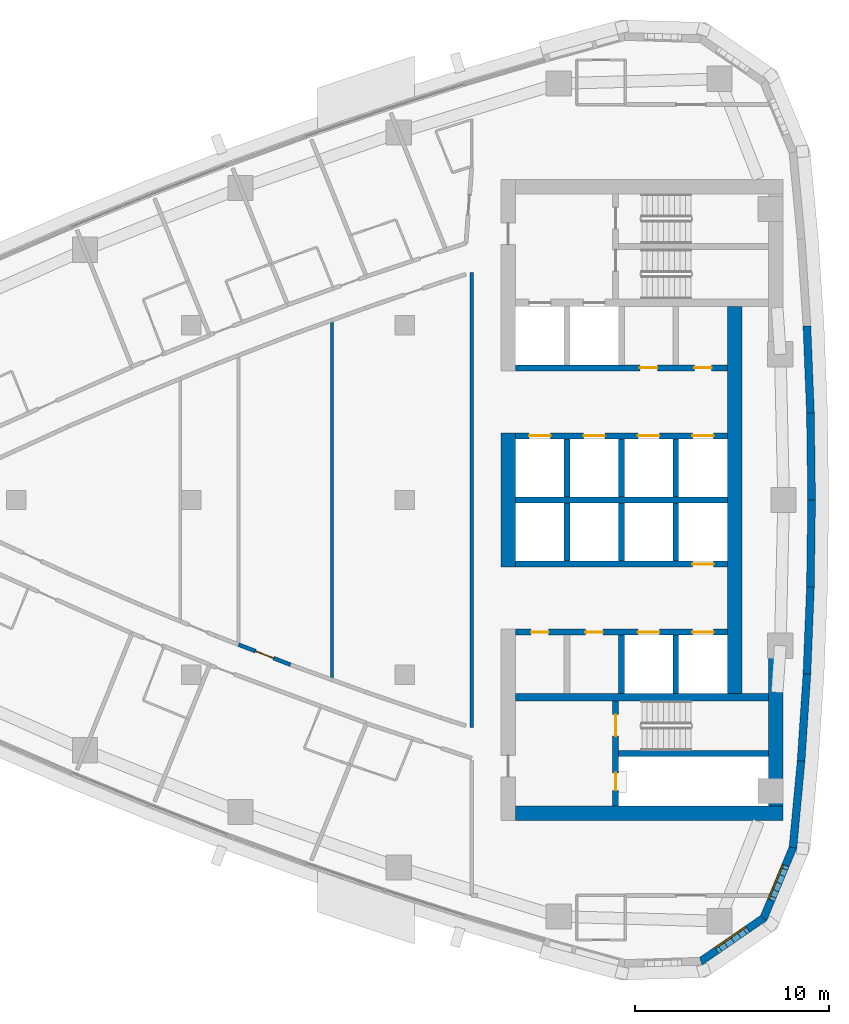
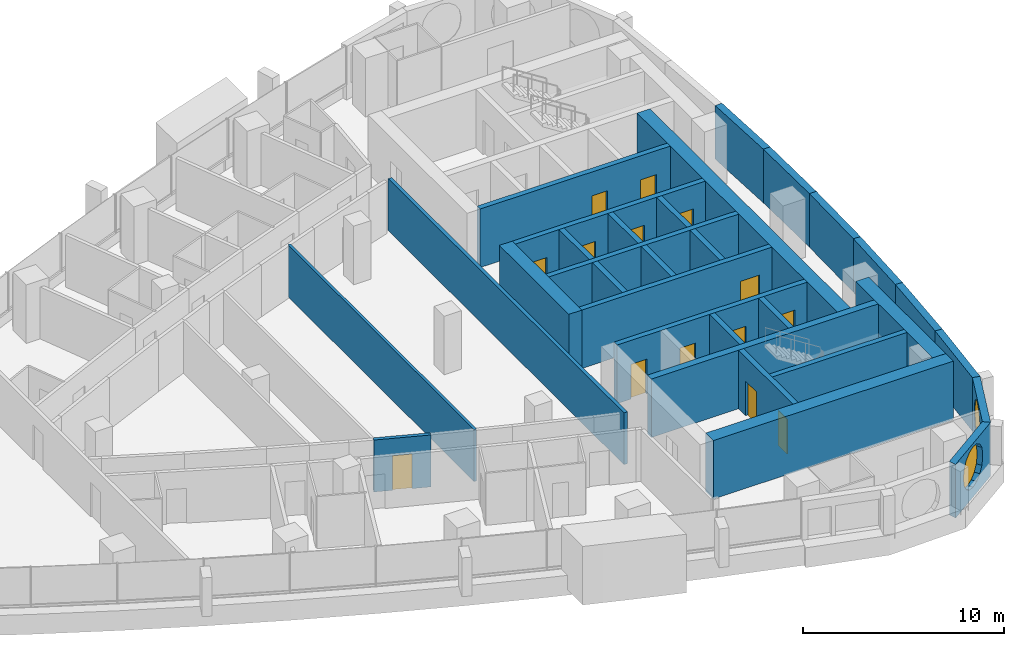
# One storey, part 11 of 17: 31 walls, 14 doors, 2 windows, 16 openings.
"""IFC4 building model written with IfcOpenShell, lengths in metres."""

from ifc_helpers import new_model, si_unit, direction, frame, frame_2d, origin, place, context, subcontext, project, spatial, polyline, rectangle, outline, extrude, material, layer, layer_set, type_object, element, fill, save


model = new_model("IFC4")

# Units and contexts
model_context = context("Model", 3, precision=1e-05, world=origin(), true_north=direction((0.0, 1.0)))
body_context = subcontext(model_context, "Body", "Model", "MODEL_VIEW")
ifc_project = project(units=[si_unit("LENGTHUNIT", "METRE"), si_unit("AREAUNIT", "SQUARE_METRE"), si_unit("VOLUMEUNIT", "CUBIC_METRE"), si_unit("PLANEANGLEUNIT", "RADIAN"), si_unit("MASSUNIT", "GRAM", prefix="KILO")], contexts=[model_context])

# Site, building, storey
site_placement = place(None, origin())
site = spatial("IfcSite", under=ifc_project, at=site_placement, CompositionType="ELEMENT")
building_placement = place(site_placement, origin())
building = spatial("IfcBuilding", under=site, at=building_placement, Name="Ostrand Prow Hotel Tower", CompositionType="ELEMENT")
storey_placement = place(building_placement, frame((0.0, 0.0, 207.449951171875)))
storey = spatial("IfcBuildingStorey", under=building, at=storey_placement, Name="L52", CompositionType="ELEMENT", Elevation=207.449951171875)

# Wall
ifc_material_1 = material(Name="Concrete C60/75", Category="concrete")
ifc_layer_1 = layer(ifc_material_1, 0.300048828125)
ifc_layer_set_1 = layer_set([ifc_layer_1], Name="Concrete C60/75")
wall_type_1 = type_object("IfcWallType", Name="Core wall 300 C60/75", PredefinedType="SHEAR", material=ifc_layer_set_1)
wall_1_placement = place(storey_placement, frame((50.699951171875, 0.0, 0.0), z_axis=(0.0, 0.0, 1.0), x_axis=(1.0, 0.0, 0.0)))
element("IfcWall", 1, at=wall_1_placement, inside=storey, type_object=wall_type_1, Name="Core wall PW-C", PredefinedType="SHEAR", context=body_context, shape_type="SweptSolid", body=[
    extrude(rectangle(XDim=10.900146484375, YDim=0.300048828125, at=frame_2d((5.4501953125, 0.0))), origin(), (0.0, 0.0, 1.0), 3.550048828125),
])

# Wall, openings, doors
wall_2_placement = place(storey_placement, frame((50.699951171875, 3.300048828125, 0.0), z_axis=(0.0, 0.0, 1.0), x_axis=(1.0, 0.0, 0.0)))
wall_2 = element("IfcWall", 2, at=wall_2_placement, inside=storey, type_object=wall_type_1, Name="Core wall PW-L1-N", PredefinedType="SHEAR", context=body_context, shape_type="SweptSolid", body=[
    extrude(rectangle(XDim=10.900146484375, YDim=0.300048828125, at=frame_2d((5.4501953125, 0.0))), origin(), (0.0, 0.0, 1.0), 3.550048828125),
])
opening_1_placement = place(wall_2_placement, frame((0.699951171875, 0.0, 0.0)))
opening_1 = element("IfcOpeningElement", 3, at=opening_1_placement, cuts=wall_2, Name="Opening LD", PredefinedType="OPENING", context=body_context, shape_type="SweptSolid", body=[
    extrude(rectangle(XDim=1.10009765625, YDim=2.10009765625, at=frame_2d((0.550048828125, 1.050048828125))), frame((0.0, 0.159912109375, 0.0), z_axis=(0.0, -1.0, 0.0), x_axis=(1.0, 0.0, 0.0)), (0.0, 0.0, 1.0), 0.320068359375),
])
opening_2_placement = place(wall_2_placement, frame((3.5, 0.0, 0.0)))
opening_2 = element("IfcOpeningElement", 4, at=opening_2_placement, cuts=wall_2, Name="Opening LD", PredefinedType="OPENING", context=body_context, shape_type="SweptSolid", body=[
    extrude(rectangle(XDim=1.10009765625, YDim=2.10009765625, at=frame_2d((0.550048828125, 1.050048828125))), frame((0.0, 0.159912109375, 0.0), z_axis=(0.0, -1.0, 0.0), x_axis=(1.0, 0.0, 0.0)), (0.0, 0.0, 1.0), 0.320068359375),
])
opening_3_placement = place(wall_2_placement, frame((6.300048828125, 0.0, 0.0)))
opening_3 = element("IfcOpeningElement", 5, at=opening_3_placement, cuts=wall_2, Name="Opening LD", PredefinedType="OPENING", context=body_context, shape_type="SweptSolid", body=[
    extrude(rectangle(XDim=1.10009765625, YDim=2.10009765625, at=frame_2d((0.550048828125, 1.050048828125))), frame((0.0, 0.159912109375, 0.0), z_axis=(0.0, -1.0, 0.0), x_axis=(1.0, 0.0, 0.0)), (0.0, 0.0, 1.0), 0.320068359375),
])
opening_4_placement = place(wall_2_placement, frame((9.10009765625, 0.0, 0.0)))
opening_4 = element("IfcOpeningElement", 6, at=opening_4_placement, cuts=wall_2, Name="Opening LD", PredefinedType="OPENING", context=body_context, shape_type="SweptSolid", body=[
    extrude(rectangle(XDim=1.10009765625, YDim=2.10009765625, at=frame_2d((0.550048828125, 1.050048828125))), frame((0.0, 0.159912109375, 0.0), z_axis=(0.0, -1.0, 0.0), x_axis=(1.0, 0.0, 0.0)), (0.0, 0.0, 1.0), 0.320068359375),
])
ifc_material_2 = material(Name="Stainless steel door", Category="steel")
door_type_1 = type_object("IfcDoorType", Name="Lift landing door 1100", OperationType="DOUBLE_DOOR_SLIDING", PredefinedType="DOOR", material=ifc_material_2)
door_1_placement = place(opening_1_placement, origin())
door_1 = element("IfcDoor", 7, at=door_1_placement, inside=storey, type_object=door_type_1, Name="LIFT LANDING DOOR", OperationType="DOUBLE_DOOR_SLIDING", OverallHeight=2.10009765625, OverallWidth=1.10009765625, PredefinedType="DOOR", context=body_context, shape_type="SweptSolid", body=[
    extrude(rectangle(XDim=1.10009765625, YDim=2.10009765625, at=frame_2d((0.550048828125, 1.050048828125))), frame((0.0, 0.02490234375, 0.0), z_axis=(0.0, -1.0, 0.0), x_axis=(1.0, 0.0, 0.0)), (0.0, 0.0, 1.0), 0.050048828125),
])
fill(opening_1, door_1)
door_2_placement = place(opening_2_placement, origin())
door_2 = element("IfcDoor", 8, at=door_2_placement, inside=storey, type_object=door_type_1, Name="LIFT LANDING DOOR", OperationType="DOUBLE_DOOR_SLIDING", OverallHeight=2.10009765625, OverallWidth=1.10009765625, PredefinedType="DOOR", context=body_context, shape_type="SweptSolid", body=[
    extrude(rectangle(XDim=1.10009765625, YDim=2.10009765625, at=frame_2d((0.550048828125, 1.050048828125))), frame((0.0, 0.02490234375, 0.0), z_axis=(0.0, -1.0, 0.0), x_axis=(1.0, 0.0, 0.0)), (0.0, 0.0, 1.0), 0.050048828125),
])
fill(opening_2, door_2)
door_3_placement = place(opening_3_placement, origin())
door_3 = element("IfcDoor", 9, at=door_3_placement, inside=storey, type_object=door_type_1, Name="LIFT LANDING DOOR", OperationType="DOUBLE_DOOR_SLIDING", OverallHeight=2.10009765625, OverallWidth=1.10009765625, PredefinedType="DOOR", context=body_context, shape_type="SweptSolid", body=[
    extrude(rectangle(XDim=1.10009765625, YDim=2.10009765625, at=frame_2d((0.550048828125, 1.050048828125))), frame((0.0, 0.02490234375, 0.0), z_axis=(0.0, -1.0, 0.0), x_axis=(1.0, 0.0, 0.0)), (0.0, 0.0, 1.0), 0.050048828125),
])
fill(opening_3, door_3)
door_4_placement = place(opening_4_placement, origin())
door_4 = element("IfcDoor", 10, at=door_4_placement, inside=storey, type_object=door_type_1, Name="LIFT LANDING DOOR", OperationType="DOUBLE_DOOR_SLIDING", OverallHeight=2.10009765625, OverallWidth=1.10009765625, PredefinedType="DOOR", context=body_context, shape_type="SweptSolid", body=[
    extrude(rectangle(XDim=1.10009765625, YDim=2.10009765625, at=frame_2d((0.550048828125, 1.050048828125))), frame((0.0, 0.02490234375, 0.0), z_axis=(0.0, -1.0, 0.0), x_axis=(1.0, 0.0, 0.0)), (0.0, 0.0, 1.0), 0.050048828125),
])
fill(opening_4, door_4)

wall_3_placement = place(storey_placement, frame((50.699951171875, 6.800048828125, 0.0), z_axis=(0.0, 0.0, 1.0), x_axis=(1.0, 0.0, 0.0)))
wall_3 = element("IfcWall", 11, at=wall_3_placement, inside=storey, type_object=wall_type_1, Name="Core wall PW-L2-N", PredefinedType="SHEAR", context=body_context, shape_type="SweptSolid", body=[
    extrude(rectangle(XDim=10.900146484375, YDim=0.300048828125, at=frame_2d((5.4501953125, 0.0))), origin(), (0.0, 0.0, 1.0), 3.550048828125),
])
opening_5_placement = place(wall_3_placement, frame((6.39990234375, 0.0, 0.0)))
opening_5 = element("IfcOpeningElement", 12, at=opening_5_placement, cuts=wall_3, Name="Opening FD2", PredefinedType="OPENING", context=body_context, shape_type="SweptSolid", body=[
    extrude(rectangle(XDim=0.89990234375, YDim=2.10009765625, at=frame_2d((0.449951171875, 1.050048828125))), frame((0.0, 0.159912109375, 0.0), z_axis=(0.0, -1.0, 0.0), x_axis=(1.0, 0.0, 0.0)), (0.0, 0.0, 1.0), 0.320068359375),
])
opening_6_placement = place(wall_3_placement, frame((9.199951171875, 0.0, 0.0)))
opening_6 = element("IfcOpeningElement", 13, at=opening_6_placement, cuts=wall_3, Name="Opening FD2", PredefinedType="OPENING", context=body_context, shape_type="SweptSolid", body=[
    extrude(rectangle(XDim=0.89990234375, YDim=2.10009765625, at=frame_2d((0.449951171875, 1.050048828125))), frame((0.0, 0.159912109375, 0.0), z_axis=(0.0, -1.0, 0.0), x_axis=(1.0, 0.0, 0.0)), (0.0, 0.0, 1.0), 0.320068359375),
])
ifc_material_3 = material(Name="Steel fire door", Category="steel")
door_type_2 = type_object("IfcDoorType", Name="Fire door 900 EI120", OperationType="SINGLE_SWING_LEFT", PredefinedType="DOOR", material=ifc_material_3)
door_5_placement = place(opening_5_placement, origin())
door_5 = element("IfcDoor", 14, at=door_5_placement, inside=storey, type_object=door_type_2, Name="DOOR", OperationType="SINGLE_SWING_LEFT", OverallHeight=2.10009765625, OverallWidth=0.89990234375, PredefinedType="DOOR", context=body_context, shape_type="SweptSolid", body=[
    extrude(rectangle(XDim=0.89990234375, YDim=2.10009765625, at=frame_2d((0.449951171875, 1.050048828125))), frame((0.0, 0.02490234375, 0.0), z_axis=(0.0, -1.0, 0.0), x_axis=(1.0, 0.0, 0.0)), (0.0, 0.0, 1.0), 0.050048828125),
])
fill(opening_5, door_5)
door_6_placement = place(opening_6_placement, origin())
door_6 = element("IfcDoor", 15, at=door_6_placement, inside=storey, type_object=door_type_2, Name="DOOR", OperationType="SINGLE_SWING_LEFT", OverallHeight=2.10009765625, OverallWidth=0.89990234375, PredefinedType="DOOR", context=body_context, shape_type="SweptSolid", body=[
    extrude(rectangle(XDim=0.89990234375, YDim=2.10009765625, at=frame_2d((0.449951171875, 1.050048828125))), frame((0.0, 0.02490234375, 0.0), z_axis=(0.0, -1.0, 0.0), x_axis=(1.0, 0.0, 0.0)), (0.0, 0.0, 1.0), 0.050048828125),
])
fill(opening_6, door_6)

# Walls
for number, where, z_axis, x_axis, name in (
    (16, (53.35009765625, 0.14990234375, 0.0), (0.0, 0.0, 1.0), (0.0, 1.0, 0.0), "Core wall PW-R1-NB"),
    (17, (56.14990234375, 0.14990234375, 0.0), (0.0, 0.0, 1.0), (0.0, 1.0, 0.0), "Core wall PW-R2-NB"),
    (18, (58.949951171875, 0.14990234375, 0.0), (0.0, 0.0, 1.0), (0.0, 1.0, 0.0), "Core wall PW-R3-NB"),
):
    element("IfcWall", number, at=place(storey_placement, frame(where, z_axis=z_axis, x_axis=x_axis)), inside=storey, type_object=wall_type_1, Name=name, PredefinedType="SHEAR", context=body_context, shape_type="SweptSolid", body=[
        extrude(rectangle(XDim=3.0, YDim=0.300048828125, at=frame_2d((1.5, 0.0))), origin(), (0.0, 0.0, 1.0), 3.550048828125),
    ])

# Wall, opening, door
wall_4_placement = place(storey_placement, frame((50.699951171875, -3.300048828125, 0.0), z_axis=(0.0, 0.0, 1.0), x_axis=(1.0, 0.0, 0.0)))
wall_4 = element("IfcWall", 19, at=wall_4_placement, inside=storey, type_object=wall_type_1, Name="Core wall PW-L1-S", PredefinedType="SHEAR", context=body_context, shape_type="SweptSolid", body=[
    extrude(rectangle(XDim=10.900146484375, YDim=0.300048828125, at=frame_2d((5.4501953125, 0.0))), origin(), (0.0, 0.0, 1.0), 3.550048828125),
])
opening_7_placement = place(wall_4_placement, frame((9.10009765625, 0.0, 0.0)))
opening_7 = element("IfcOpeningElement", 20, at=opening_7_placement, cuts=wall_4, Name="Opening LD", PredefinedType="OPENING", context=body_context, shape_type="SweptSolid", body=[
    extrude(rectangle(XDim=1.10009765625, YDim=2.10009765625, at=frame_2d((0.550048828125, 1.050048828125))), frame((0.0, 0.159912109375, 0.0), z_axis=(0.0, -1.0, 0.0), x_axis=(1.0, 0.0, 0.0)), (0.0, 0.0, 1.0), 0.320068359375),
])
door_7_placement = place(opening_7_placement, origin())
door_7 = element("IfcDoor", 21, at=door_7_placement, inside=storey, type_object=door_type_1, Name="LIFT LANDING DOOR", OperationType="DOUBLE_DOOR_SLIDING", OverallHeight=2.10009765625, OverallWidth=1.10009765625, PredefinedType="DOOR", context=body_context, shape_type="SweptSolid", body=[
    extrude(rectangle(XDim=1.10009765625, YDim=2.10009765625, at=frame_2d((0.550048828125, 1.050048828125))), frame((0.0, 0.02490234375, 0.0), z_axis=(0.0, -1.0, 0.0), x_axis=(1.0, 0.0, 0.0)), (0.0, 0.0, 1.0), 0.050048828125),
])
fill(opening_7, door_7)

# Wall, openings, doors
wall_5_placement = place(storey_placement, frame((50.699951171875, -6.800048828125, 0.0), z_axis=(0.0, 0.0, 1.0), x_axis=(1.0, 0.0, 0.0)))
wall_5 = element("IfcWall", 22, at=wall_5_placement, inside=storey, type_object=wall_type_1, Name="Core wall PW-L2-S", PredefinedType="SHEAR", context=body_context, shape_type="SweptSolid", body=[
    extrude(rectangle(XDim=10.900146484375, YDim=0.300048828125, at=frame_2d((5.4501953125, 0.0))), origin(), (0.0, 0.0, 1.0), 3.550048828125),
])
opening_8_placement = place(wall_5_placement, frame((6.300048828125, 0.0, 0.0)))
opening_8 = element("IfcOpeningElement", 23, at=opening_8_placement, cuts=wall_5, Name="Opening LD", PredefinedType="OPENING", context=body_context, shape_type="SweptSolid", body=[
    extrude(rectangle(XDim=1.10009765625, YDim=2.10009765625, at=frame_2d((0.550048828125, 1.050048828125))), frame((0.0, 0.159912109375, 0.0), z_axis=(0.0, -1.0, 0.0), x_axis=(1.0, 0.0, 0.0)), (0.0, 0.0, 1.0), 0.320068359375),
])
opening_9_placement = place(wall_5_placement, frame((9.10009765625, 0.0, 0.0)))
opening_9 = element("IfcOpeningElement", 24, at=opening_9_placement, cuts=wall_5, Name="Opening LD", PredefinedType="OPENING", context=body_context, shape_type="SweptSolid", body=[
    extrude(rectangle(XDim=1.10009765625, YDim=2.10009765625, at=frame_2d((0.550048828125, 1.050048828125))), frame((0.0, 0.159912109375, 0.0), z_axis=(0.0, -1.0, 0.0), x_axis=(1.0, 0.0, 0.0)), (0.0, 0.0, 1.0), 0.320068359375),
])
opening_10_placement = place(wall_5_placement, frame((0.800048828125, 0.0, 0.0)))
opening_10 = element("IfcOpeningElement", 25, at=opening_10_placement, cuts=wall_5, Name="Opening FD2", PredefinedType="OPENING", context=body_context, shape_type="SweptSolid", body=[
    extrude(rectangle(XDim=0.89990234375, YDim=2.10009765625, at=frame_2d((0.449951171875, 1.050048828125))), frame((0.0, 0.159912109375, 0.0), z_axis=(0.0, -1.0, 0.0), x_axis=(1.0, 0.0, 0.0)), (0.0, 0.0, 1.0), 0.320068359375),
])
opening_11_placement = place(wall_5_placement, frame((3.60009765625, 0.0, 0.0)))
opening_11 = element("IfcOpeningElement", 26, at=opening_11_placement, cuts=wall_5, Name="Opening FD2", PredefinedType="OPENING", context=body_context, shape_type="SweptSolid", body=[
    extrude(rectangle(XDim=0.89990234375, YDim=2.10009765625, at=frame_2d((0.449951171875, 1.050048828125))), frame((0.0, 0.159912109375, 0.0), z_axis=(0.0, -1.0, 0.0), x_axis=(1.0, 0.0, 0.0)), (0.0, 0.0, 1.0), 0.320068359375),
])
door_8_placement = place(opening_10_placement, origin())
door_8 = element("IfcDoor", 27, at=door_8_placement, inside=storey, type_object=door_type_2, Name="DOOR", OperationType="SINGLE_SWING_LEFT", OverallHeight=2.10009765625, OverallWidth=0.89990234375, PredefinedType="DOOR", context=body_context, shape_type="SweptSolid", body=[
    extrude(rectangle(XDim=0.89990234375, YDim=2.10009765625, at=frame_2d((0.449951171875, 1.050048828125))), frame((0.0, 0.02490234375, 0.0), z_axis=(0.0, -1.0, 0.0), x_axis=(1.0, 0.0, 0.0)), (0.0, 0.0, 1.0), 0.050048828125),
])
fill(opening_10, door_8)
door_9_placement = place(opening_11_placement, origin())
door_9 = element("IfcDoor", 28, at=door_9_placement, inside=storey, type_object=door_type_2, Name="DOOR", OperationType="SINGLE_SWING_LEFT", OverallHeight=2.10009765625, OverallWidth=0.89990234375, PredefinedType="DOOR", context=body_context, shape_type="SweptSolid", body=[
    extrude(rectangle(XDim=0.89990234375, YDim=2.10009765625, at=frame_2d((0.449951171875, 1.050048828125))), frame((0.0, 0.02490234375, 0.0), z_axis=(0.0, -1.0, 0.0), x_axis=(1.0, 0.0, 0.0)), (0.0, 0.0, 1.0), 0.050048828125),
])
fill(opening_11, door_9)
door_10_placement = place(opening_8_placement, origin())
door_10 = element("IfcDoor", 29, at=door_10_placement, inside=storey, type_object=door_type_1, Name="LIFT LANDING DOOR", OperationType="DOUBLE_DOOR_SLIDING", OverallHeight=2.10009765625, OverallWidth=1.10009765625, PredefinedType="DOOR", context=body_context, shape_type="SweptSolid", body=[
    extrude(rectangle(XDim=1.10009765625, YDim=2.10009765625, at=frame_2d((0.550048828125, 1.050048828125))), frame((0.0, 0.02490234375, 0.0), z_axis=(0.0, -1.0, 0.0), x_axis=(1.0, 0.0, 0.0)), (0.0, 0.0, 1.0), 0.050048828125),
])
fill(opening_8, door_10)
door_11_placement = place(opening_9_placement, origin())
door_11 = element("IfcDoor", 30, at=door_11_placement, inside=storey, type_object=door_type_1, Name="LIFT LANDING DOOR", OperationType="DOUBLE_DOOR_SLIDING", OverallHeight=2.10009765625, OverallWidth=1.10009765625, PredefinedType="DOOR", context=body_context, shape_type="SweptSolid", body=[
    extrude(rectangle(XDim=1.10009765625, YDim=2.10009765625, at=frame_2d((0.550048828125, 1.050048828125))), frame((0.0, 0.02490234375, 0.0), z_axis=(0.0, -1.0, 0.0), x_axis=(1.0, 0.0, 0.0)), (0.0, 0.0, 1.0), 0.050048828125),
])
fill(opening_9, door_11)

# Walls
for number, where, z_axis, x_axis, name in (
    (31, (53.35009765625, -3.14990234375, 0.0), (0.0, 0.0, 1.0), (0.0, 1.0, 0.0), "Core wall PW-R1-SB"),
    (32, (56.14990234375, -3.14990234375, 0.0), (0.0, 0.0, 1.0), (0.0, 1.0, 0.0), "Core wall PW-R2-SB"),
    (33, (56.14990234375, -9.949951171875, 0.0), (0.0, 0.0, 1.0), (0.0, 1.0, 0.0), "Core wall PW-R2-SA"),
    (34, (58.949951171875, -3.14990234375, 0.0), (0.0, 0.0, 1.0), (0.0, 1.0, 0.0), "Core wall PW-R3-SB"),
    (35, (58.949951171875, -9.949951171875, 0.0), (0.0, 0.0, 1.0), (0.0, 1.0, 0.0), "Core wall PW-R3-SA"),
):
    element("IfcWall", number, at=place(storey_placement, frame(where, z_axis=z_axis, x_axis=x_axis)), inside=storey, type_object=wall_type_1, Name=name, PredefinedType="SHEAR", context=body_context, shape_type="SweptSolid", body=[
        extrude(rectangle(XDim=3.0, YDim=0.300048828125, at=frame_2d((1.5, 0.0))), origin(), (0.0, 0.0, 1.0), 3.550048828125),
    ])

# Wall, openings, doors
wall_6_placement = place(storey_placement, frame((55.85009765625, -15.75, 0.0), z_axis=(0.0, 0.0, 1.0), x_axis=(0.0, 1.0, 0.0)))
wall_6 = element("IfcWall", 36, at=wall_6_placement, inside=storey, type_object=wall_type_1, Name="Core wall PW-VS", PredefinedType="SHEAR", context=body_context, shape_type="SweptSolid", body=[
    extrude(rectangle(XDim=5.39990234375, YDim=0.300048828125, at=frame_2d((2.699951171875, 0.0))), origin(), (0.0, 0.0, 1.0), 3.550048828125),
])
opening_12_placement = place(wall_6_placement, frame((3.60009765625, 0.0, 0.0)))
opening_12 = element("IfcOpeningElement", 37, at=opening_12_placement, cuts=wall_6, Name="Opening FD1", PredefinedType="OPENING", context=body_context, shape_type="SweptSolid", body=[
    extrude(rectangle(XDim=1.10009765625, YDim=2.10009765625, at=frame_2d((0.550048828125, 1.050048828125))), frame((0.0, 0.159912109375, 0.0), z_axis=(0.0, -1.0, 0.0), x_axis=(1.0, 0.0, 0.0)), (0.0, 0.0, 1.0), 0.320068359375),
])
opening_13_placement = place(wall_6_placement, frame((0.800048828125, 0.0, 0.0)))
opening_13 = element("IfcOpeningElement", 38, at=opening_13_placement, cuts=wall_6, Name="Opening FD2", PredefinedType="OPENING", context=body_context, shape_type="SweptSolid", body=[
    extrude(rectangle(XDim=0.89990234375, YDim=2.10009765625, at=frame_2d((0.449951171875, 1.050048828125))), frame((0.0, 0.159912109375, 0.0), z_axis=(0.0, -1.0, 0.0), x_axis=(1.0, 0.0, 0.0)), (0.0, 0.0, 1.0), 0.320068359375),
])
ifc_material_4 = material(Name="Steel fire door", Category="steel")
door_type_3 = type_object("IfcDoorType", Name="Fire door 1100 EI120", OperationType="SINGLE_SWING_RIGHT", PredefinedType="DOOR", material=ifc_material_4)
door_12_placement = place(opening_12_placement, origin())
door_12 = element("IfcDoor", 39, at=door_12_placement, inside=storey, type_object=door_type_3, Name="FIRE DOOR", OperationType="SINGLE_SWING_RIGHT", OverallHeight=2.10009765625, OverallWidth=1.10009765625, PredefinedType="DOOR", context=body_context, shape_type="SweptSolid", body=[
    extrude(rectangle(XDim=1.10009765625, YDim=2.10009765625, at=frame_2d((0.550048828125, 1.050048828125))), frame((0.0, 0.02490234375, 0.0), z_axis=(0.0, -1.0, 0.0), x_axis=(1.0, 0.0, 0.0)), (0.0, 0.0, 1.0), 0.050048828125),
])
fill(opening_12, door_12)
door_13_placement = place(opening_13_placement, origin())
door_13 = element("IfcDoor", 40, at=door_13_placement, inside=storey, type_object=door_type_2, Name="FIRE DOOR", OperationType="SINGLE_SWING_LEFT", OverallHeight=2.10009765625, OverallWidth=0.89990234375, PredefinedType="DOOR", context=body_context, shape_type="SweptSolid", body=[
    extrude(rectangle(XDim=0.89990234375, YDim=2.10009765625, at=frame_2d((0.449951171875, 1.050048828125))), frame((0.0, 0.02490234375, 0.0), z_axis=(0.0, -1.0, 0.0), x_axis=(1.0, 0.0, 0.0)), (0.0, 0.0, 1.0), 0.050048828125),
])
fill(opening_13, door_13)

# Walls
wall_7_placement = place(storey_placement, frame((56.0, -13.050048828125, 0.0), z_axis=(0.0, 0.0, 1.0), x_axis=(1.0, 0.0, 0.0)))
element("IfcWall", 41, at=wall_7_placement, inside=storey, type_object=wall_type_1, Name="Core wall PW-ST2R", PredefinedType="SHEAR", context=body_context, shape_type="SweptSolid", body=[
    extrude(rectangle(XDim=7.719970703125, YDim=0.300048828125, at=frame_2d((3.85986328125, 0.0))), origin(), (0.0, 0.0, 1.0), 3.550048828125),
])
ifc_material_5 = material(Name="Concrete C60/75", Category="concrete")
ifc_layer_2 = layer(ifc_material_5, 0.39990234375)
ifc_layer_set_2 = layer_set([ifc_layer_2], Name="Concrete C60/75")
wall_type_2 = type_object("IfcWallType", Name="Core wall 400 C60/75", PredefinedType="SHEAR", material=ifc_layer_set_2)
wall_8_placement = place(storey_placement, frame((50.699951171875, -10.14990234375, 0.0), z_axis=(0.0, 0.0, 1.0), x_axis=(1.0, 0.0, 0.0)))
element("IfcWall", 42, at=wall_8_placement, inside=storey, type_object=wall_type_2, Name="Core wall PW-BS", PredefinedType="SHEAR", context=body_context, shape_type="SweptSolid", body=[
    extrude(rectangle(XDim=13.02001953125, YDim=0.39990234375, at=frame_2d((6.510009765625, 0.0))), origin(), (0.0, 0.0, 1.0), 3.550048828125),
])
ifc_material_6 = material(Name="Concrete C60/75", Category="concrete")
ifc_layer_3 = layer(ifc_material_6, 0.75)
ifc_layer_set_3 = layer_set([ifc_layer_3], Name="Concrete C60/75")
wall_type_3 = type_object("IfcWallType", Name="Core wall 750 C60/75", PredefinedType="SHEAR", material=ifc_layer_set_3)
wall_9_placement = place(storey_placement, frame((50.324951171875, -3.449951171875, 0.0), z_axis=(0.0, 0.0, 1.0), x_axis=(0.0, 1.0, 0.0)))
element("IfcWall", 43, at=wall_9_placement, inside=storey, type_object=wall_type_3, Name="Core wall CW-W-C", PredefinedType="SHEAR", context=body_context, shape_type="SweptSolid", body=[
    extrude(rectangle(XDim=6.89990234375, YDim=0.75, at=frame_2d((3.449951171875, 0.0))), origin(), (0.0, 0.0, 1.0), 3.550048828125),
])
wall_10_placement = place(storey_placement, frame((50.699951171875, -16.125, 0.0), z_axis=(0.0, 0.0, 1.0), x_axis=(1.0, 0.0, 0.0)))
element("IfcWall", 44, at=wall_10_placement, inside=storey, type_object=wall_type_3, Name="Core wall CW-S", PredefinedType="SHEAR", context=body_context, shape_type="SweptSolid", body=[
    extrude(rectangle(XDim=13.77001953125, YDim=0.75, at=frame_2d((6.885009765625, 0.0))), origin(), (0.0, 0.0, 1.0), 3.550048828125),
])
wall_11_placement = place(storey_placement, frame((64.094970703125, -15.75, 0.0), z_axis=(0.0, 0.0, 1.0), x_axis=(0.0, 1.0, 0.0)))
element("IfcWall", 45, at=wall_11_placement, inside=storey, type_object=wall_type_3, Name="Core wall CW-E-S", PredefinedType="SHEAR", context=body_context, shape_type="SweptSolid", body=[
    extrude(rectangle(XDim=7.65087890625, YDim=0.75, at=frame_2d((3.825439453125, 0.0))), origin(), (0.0, 0.0, 1.0), 3.550048828125),
])
wall_12_placement = place(storey_placement, frame((61.97509765625, -9.949951171875, 0.0), z_axis=(0.0, 0.0, 1.0), x_axis=(0.0, 1.0, 0.0)))
element("IfcWall", 46, at=wall_12_placement, inside=storey, type_object=wall_type_3, Name="Core wall CW-E-C", PredefinedType="SHEAR", context=body_context, shape_type="SweptSolid", body=[
    extrude(rectangle(XDim=19.89990234375, YDim=0.75, at=frame_2d((9.949951171875, 0.0))), origin(), (0.0, 0.0, 1.0), 3.550048828125),
])
ifc_material_7 = material(Name="Plasterboard partition")
ifc_layer_4 = layer(ifc_material_7, 0.14990234375)
ifc_layer_set_4 = layer_set([ifc_layer_4], Name="Plasterboard partition")
wall_type_4 = type_object("IfcWallType", Name="Partition 150 room partition", PredefinedType="PARTITIONING", material=ifc_layer_set_4)
wall_13_placement = place(storey_placement, frame((41.244873046875, -9.254150390625, 0.0), z_axis=(0.0, 0.0, 1.0), x_axis=(0.0, 1.0, 0.0)))
element("IfcWall", 47, at=wall_13_placement, inside=storey, type_object=wall_type_4, Name="ROOM PARTITION", PredefinedType="PARTITIONING", context=body_context, shape_type="SweptSolid", body=[
    extrude(rectangle(XDim=18.50830078125, YDim=0.14990234375, at=frame_2d((9.254150390625, 0.0))), origin(), (0.0, 0.0, 1.0), 3.150146484375),
])

# Wall, opening, door
ifc_material_8 = material(Name="Plasterboard partition")
ifc_layer_5 = layer(ifc_material_8, 0.199951171875)
ifc_layer_set_5 = layer_set([ifc_layer_5], Name="Plasterboard partition")
wall_type_5 = type_object("IfcWallType", Name="Partition 200 corridor wall", PredefinedType="PARTITIONING", material=ifc_layer_set_5)
wall_14_placement = place(storey_placement, frame((39.115478515625, -8.4794921875, 0.0), z_axis=(0.0, 0.0, 1.0), x_axis=(-0.932650373077, 0.36078148733, 0.0)))
wall_14 = element("IfcWall", 48, at=wall_14_placement, inside=storey, type_object=wall_type_5, Name="CORRIDOR WALL", PredefinedType="PARTITIONING", context=body_context, shape_type="SweptSolid", body=[
    extrude(rectangle(XDim=2.8671875, YDim=0.199951171875, at=frame_2d((1.43359375, 0.0))), origin(), (0.0, 0.0, 1.0), 3.150146484375),
])
opening_14_placement = place(wall_14_placement, frame((0.93359375, 0.0, 0.0)))
opening_14 = element("IfcOpeningElement", 49, at=opening_14_placement, cuts=wall_14, Name="Opening D1R", PredefinedType="OPENING", context=body_context, shape_type="SweptSolid", body=[
    extrude(rectangle(XDim=1.0, YDim=2.10009765625, at=frame_2d((0.5, 1.050048828125))), frame((0.0, 0.10986328125, 0.0), z_axis=(0.0, -1.0, 0.0), x_axis=(1.0, 0.0, 0.0)), (0.0, 0.0, 1.0), 0.219970703125),
])
ifc_material_9 = material(Name="Timber door leaf", Category="wood")
door_type_4 = type_object("IfcDoorType", Name="Guest room door 1000 right", OperationType="SINGLE_SWING_RIGHT", PredefinedType="DOOR", material=ifc_material_9)
door_14_placement = place(opening_14_placement, origin())
door_14 = element("IfcDoor", 50, at=door_14_placement, inside=storey, type_object=door_type_4, Name="DOOR", OperationType="SINGLE_SWING_RIGHT", OverallHeight=2.10009765625, OverallWidth=1.0, PredefinedType="DOOR", context=body_context, shape_type="SweptSolid", body=[
    extrude(rectangle(XDim=1.0, YDim=2.10009765625, at=frame_2d((0.5, 1.050048828125))), frame((0.0, 0.02490234375, 0.0), z_axis=(0.0, -1.0, 0.0), x_axis=(1.0, 0.0, 0.0)), (0.0, 0.0, 1.0), 0.050048828125),
])
fill(opening_14, door_14)

# Wall
wall_15_placement = place(storey_placement, frame((48.445068359375, 11.7099609375, 0.0), z_axis=(0.0, 0.0, 1.0), x_axis=(0.0, -1.0, 0.0)))
element("IfcWall", 51, at=wall_15_placement, inside=storey, type_object=wall_type_5, Name="CORRIDOR WALL", PredefinedType="PARTITIONING", context=body_context, shape_type="SweptSolid", body=[
    extrude(rectangle(XDim=23.419921875, YDim=0.199951171875, at=frame_2d((11.7099609375, 0.0))), origin(), (0.0, 0.0, 1.0), 3.150146484375),
])

# Wall, opening, window
ifc_material_10 = material(Name="Precast concrete C40/50", Category="concrete")
ifc_layer_6 = layer(ifc_material_10, 0.39990234375)
ifc_layer_set_6 = layer_set([ifc_layer_6], Name="Precast concrete C40/50")
wall_type_6 = type_object("IfcWallType", Name="Stone-faced precast wall 400 mm", PredefinedType="NOTDEFINED", material=ifc_layer_set_6)
wall_16_placement = place(storey_placement, frame((60.235595703125, -23.7451171875, 0.0), z_axis=(0.0, 0.0, 1.0), x_axis=(0.823806162588, 0.566871596115, 0.0)))
wall_16 = element("IfcWall", 52, at=wall_16_placement, inside=storey, type_object=wall_type_6, Name="Stone-faced wall back 3", PredefinedType="NOTDEFINED", context=body_context, shape_type="SweptSolid", body=[
    extrude(outline(polyline([(-0.05908203125, -0.199951171875), (3.98828125, -0.199951171875), (3.8701171875, 0.199951171875), (0.05908203125, 0.199951171875), (-0.05908203125, -0.199951171875)])), origin(), (0.0, 0.0, 1.0), 3.25),
])
opening_15_placement = place(wall_16_placement, frame((0.864501953125, 0.0, 0.60009765625)))
opening_15 = element("IfcOpeningElement", 53, at=opening_15_placement, cuts=wall_16, Name="Opening WP1", PredefinedType="OPENING", context=body_context, shape_type="SweptSolid", body=[
    extrude(outline(polyline([(0.0, 1.35009765625), (0.083740234375, 1.77099609375), (0.322265625, 2.127685546875), (0.678955078125, 2.3662109375), (1.10009765625, 2.449951171875), (1.52099609375, 2.3662109375), (1.877685546875, 2.127685546875), (2.1162109375, 1.77099609375), (2.199951171875, 1.35009765625), (2.199951171875, 1.10009765625), (2.1162109375, 0.678955078125), (1.877685546875, 0.322265625), (1.52099609375, 0.083740234375), (1.10009765625, 0.0), (0.678955078125, 0.083740234375), (0.322265625, 0.322265625), (0.083740234375, 0.678955078125), (0.0, 1.099853515625), (0.0, 1.35009765625)])), frame((0.0, 0.2099609375, 0.0), z_axis=(0.0, -1.0, 0.0), x_axis=(1.0, 0.0, 0.0)), (0.0, 0.0, 1.0), 0.419921875),
])
ifc_material_11 = material(Name="Insulated glass in bronze frame", Category="glass")
window_type = type_object("IfcWindowType", Name="Round-ended prow window 2200x2450", PartitioningType="SINGLE_PANEL", PredefinedType="WINDOW", material=ifc_material_11)
window_1_placement = place(opening_15_placement, origin())
window_1 = element("IfcWindow", 54, at=window_1_placement, inside=storey, type_object=window_type, Name="Window back 3.1", OverallHeight=2.449951171875, OverallWidth=2.199951171875, PartitioningType="SINGLE_PANEL", PredefinedType="WINDOW", context=body_context, shape_type="SweptSolid", body=[
    extrude(outline(polyline([(0.0, 1.35009765625), (0.083740234375, 1.77099609375), (0.322265625, 2.127685546875), (0.678955078125, 2.3662109375), (1.10009765625, 2.449951171875), (1.52099609375, 2.3662109375), (1.877685546875, 2.127685546875), (2.1162109375, 1.77099609375), (2.199951171875, 1.35009765625), (2.199951171875, 1.10009765625), (2.1162109375, 0.678955078125), (1.877685546875, 0.322265625), (1.52099609375, 0.083740234375), (1.10009765625, 0.0), (0.678955078125, 0.083740234375), (0.322265625, 0.322265625), (0.083740234375, 0.678955078125), (0.0, 1.099853515625), (0.0, 1.35009765625)])), frame((0.0, 0.169921875, 0.0), z_axis=(0.0, -1.0, 0.0), x_axis=(1.0, 0.0, 0.0)), (0.0, 0.0, 1.0), 0.06005859375),
])
fill(opening_15, window_1)

wall_17_placement = place(storey_placement, frame((63.472412109375, -21.517822265625, 0.0), z_axis=(0.0, 0.0, 1.0), x_axis=(0.383997619794, 0.923334082547, 0.0)))
wall_17 = element("IfcWall", 55, at=wall_17_placement, inside=storey, type_object=wall_type_6, Name="Stone-faced wall back 4", PredefinedType="NOTDEFINED", context=body_context, shape_type="SweptSolid", body=[
    extrude(outline(polyline([(-0.05908203125, -0.199951171875), (3.95947265625, -0.199951171875), (3.89892578125, 0.199951171875), (0.05908203125, 0.199951171875), (-0.05908203125, -0.199951171875)])), origin(), (0.0, 0.0, 1.0), 3.25),
])
opening_16_placement = place(wall_17_placement, frame((0.864501953125, 0.0, 0.60009765625)))
opening_16 = element("IfcOpeningElement", 56, at=opening_16_placement, cuts=wall_17, Name="Opening WP1", PredefinedType="OPENING", context=body_context, shape_type="SweptSolid", body=[
    extrude(outline(polyline([(0.0, 1.35009765625), (0.083740234375, 1.77099609375), (0.322265625, 2.127685546875), (0.678955078125, 2.3662109375), (1.10009765625, 2.449951171875), (1.52099609375, 2.3662109375), (1.877685546875, 2.127685546875), (2.1162109375, 1.77099609375), (2.199951171875, 1.35009765625), (2.199951171875, 1.10009765625), (2.1162109375, 0.678955078125), (1.877685546875, 0.322265625), (1.52099609375, 0.083740234375), (1.10009765625, 0.0), (0.678955078125, 0.083740234375), (0.322265625, 0.322265625), (0.083740234375, 0.678955078125), (0.0, 1.099853515625), (0.0, 1.35009765625)])), frame((0.0, 0.2099609375, 0.0), z_axis=(0.0, -1.0, 0.0), x_axis=(1.0, 0.0, 0.0)), (0.0, 0.0, 1.0), 0.419921875),
])
window_2_placement = place(opening_16_placement, origin())
window_2 = element("IfcWindow", 57, at=window_2_placement, inside=storey, type_object=window_type, Name="Window back 4.1", OverallHeight=2.449951171875, OverallWidth=2.199951171875, PartitioningType="SINGLE_PANEL", PredefinedType="WINDOW", context=body_context, shape_type="SweptSolid", body=[
    extrude(outline(polyline([(0.0, 1.35009765625), (0.083740234375, 1.77099609375), (0.322265625, 2.127685546875), (0.678955078125, 2.3662109375), (1.10009765625, 2.449951171875), (1.52099609375, 2.3662109375), (1.877685546875, 2.127685546875), (2.1162109375, 1.77099609375), (2.199951171875, 1.35009765625), (2.199951171875, 1.10009765625), (2.1162109375, 0.678955078125), (1.877685546875, 0.322265625), (1.52099609375, 0.083740234375), (1.10009765625, 0.0), (0.678955078125, 0.083740234375), (0.322265625, 0.322265625), (0.083740234375, 0.678955078125), (0.0, 1.099853515625), (0.0, 1.35009765625)])), frame((0.0, 0.169921875, 0.0), z_axis=(0.0, -1.0, 0.0), x_axis=(1.0, 0.0, 0.0)), (0.0, 0.0, 1.0), 0.06005859375),
])
fill(opening_16, window_2)

# Walls
wall_18_placement = place(storey_placement, frame((64.981201171875, -17.889892578125, 0.0), z_axis=(0.0, 0.0, 1.0), x_axis=(0.093605694738, 0.995609348044, 0.0)))
element("IfcWall", 58, at=wall_18_placement, inside=storey, type_object=wall_type_6, Name="Stone-faced wall back 5", PredefinedType="NOTDEFINED", context=body_context, shape_type="SweptSolid", body=[
    extrude(outline(polyline([(-0.0302734375, -0.199951171875), (4.483642578125, -0.199951171875), (4.478271484375, 0.199951171875), (0.0302734375, 0.199951171875), (-0.0302734375, -0.199951171875)])), origin(), (0.0, 0.0, 1.0), 3.25),
])
for number, where, z_axis, x_axis, name in (
    (59, (65.400634765625, -13.4287109375, 0.0), (0.0, 0.0, 1.0), (0.066905935948, 0.997759287471, 0.0), "Stone-faced wall back 6"),
    (60, (65.700439453125, -8.957763671875, 0.0), (0.0, 0.0, 1.0), (0.040155165338, 0.999193456092, 0.0), "Stone-faced wall back 7"),
    (61, (65.88037109375, -4.48046875, 0.0), (0.0, 0.0, 1.0), (0.013348854104, 0.999910900078, 0.0), "Stone-faced wall back 8"),
    (62, (65.940185546875, 0.0, 0.0), (0.0, 0.0, 1.0), (-0.013348854104, 0.999910900078, 0.0), "Stone-faced wall back 9"),
    (63, (65.88037109375, 4.48046875, 0.0), (0.0, 0.0, 1.0), (-0.040155165338, 0.999193456092, 0.0), "Stone-faced wall back 10"),
):
    element("IfcWall", number, at=place(storey_placement, frame(where, z_axis=z_axis, x_axis=x_axis)), inside=storey, type_object=wall_type_6, Name=name, PredefinedType="NOTDEFINED", context=body_context, shape_type="SweptSolid", body=[
        extrude(outline(polyline([(-0.002685546875, -0.199951171875), (4.483642578125, -0.199951171875), (4.478271484375, 0.199951171875), (0.002685546875, 0.199951171875), (-0.002685546875, -0.199951171875)])), origin(), (0.0, 0.0, 1.0), 3.25),
    ])

save(model, "model.ifc")
